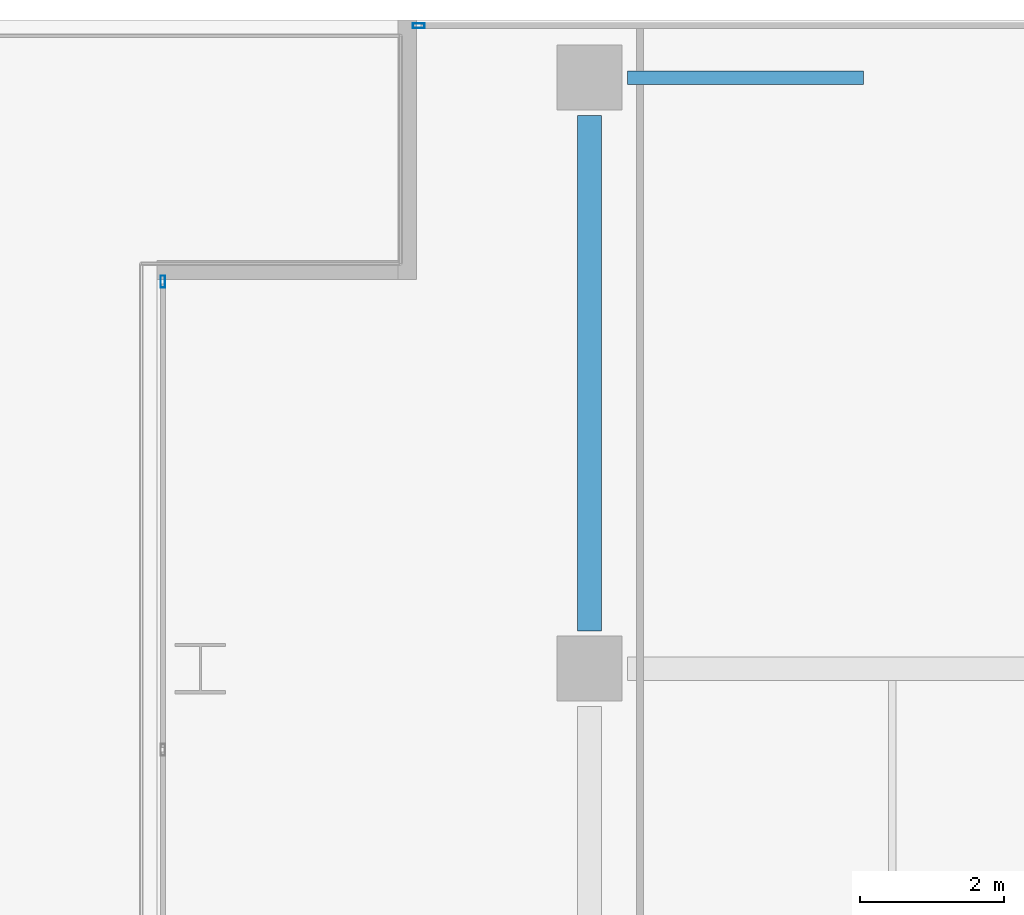
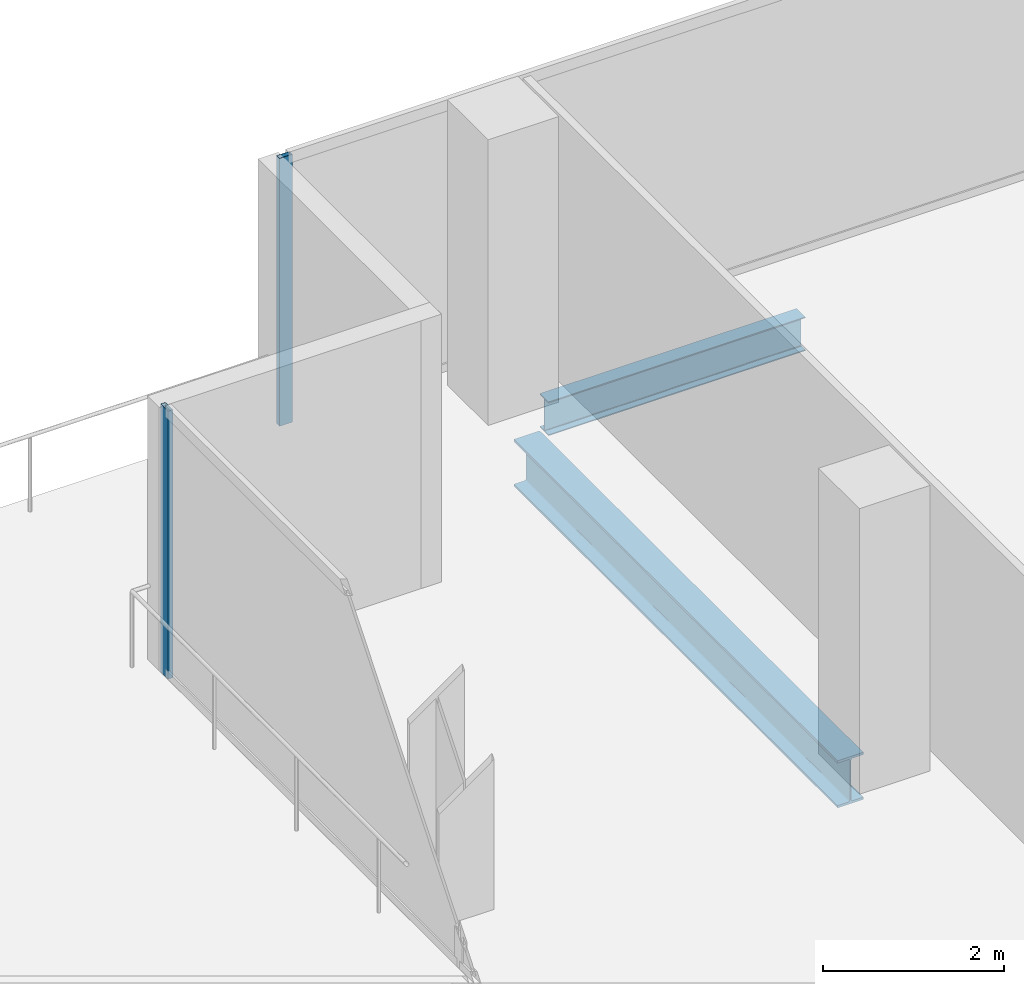
# One storey, part 14 of 31: 2 beams, 2 members, 2 elements without a shape of their own.
"""IFC4 building model written with IfcOpenShell, lengths in metres."""

from ifc_helpers import new_model, si_unit, direction, frame, origin, origin_2d, place, context, subcontext, project, spatial, hollow_rectangle, i_section, extrude, material, layer, layer_set, material_profile, profile_set, type_object, element, aggregate, save


model = new_model("IFC4")

# Units and contexts
model_context = context("Model", 3, precision=1e-05, world=origin(), true_north=direction((0.0, 1.0)))
body_context = subcontext(model_context, "Body", "Model", "MODEL_VIEW")
ifc_project = project(units=[si_unit("LENGTHUNIT", "METRE"), si_unit("AREAUNIT", "SQUARE_METRE"), si_unit("VOLUMEUNIT", "CUBIC_METRE"), si_unit("PLANEANGLEUNIT", "RADIAN"), si_unit("MASSUNIT", "GRAM", prefix="KILO")], contexts=[model_context])

# Site, building, storey
site_placement = place(None, origin())
site = spatial("IfcSite", under=ifc_project, at=site_placement, CompositionType="ELEMENT")
building_placement = place(site_placement, origin())
building = spatial("IfcBuilding", under=site, at=building_placement, Name="Maruvema Waterfront Hotel and Observation Tower", CompositionType="ELEMENT")
storey_placement = place(building_placement, frame((0.0, 0.0, 26.949951171875)))
storey = spatial("IfcBuildingStorey", under=building, at=storey_placement, Name="L05", CompositionType="ELEMENT", Elevation=26.949951171875)

# Curtain wall, member
ifc_material_1 = material(Name="Anodised bronze aluminium and solar-control low-E IGU", Category="aluminium")
ifc_layer = layer(ifc_material_1, 0.159912109375, Name="Zone 1 Bronze Inner Thermal Curtain Wall System CW-02")
ifc_layer_set = layer_set([ifc_layer], Name="Anodised bronze aluminium and solar-control low-E IGU")
curtain_wall_type = type_object("IfcCurtainWallType", Name="Zone 1 Bronze Inner Thermal Curtain Wall System CW-02", PredefinedType="USERDEFINED", material=ifc_layer_set)
curtain_wall_1_placement = place(storey_placement, origin())
curtain_wall_1 = element("IfcCurtainWall", 1, at=curtain_wall_1_placement, inside=storey, type_object=curtain_wall_type, Name="L05 Curtain Wall CW-L05-WN", ObjectType="UNITISED CURTAIN WALL", PredefinedType="USERDEFINED")
ifc_material_2 = material(Name="Anodised architectural bronze aluminium", Category="aluminium")
ifc_material_profile_1 = material_profile(ifc_material_2, hollow_rectangle(XDim=0.06494140625, YDim=0.1650390625, WallThickness=0.00390625, at=origin_2d()), Name="ALU-M65x165")
ifc_profile_set_1 = profile_set([ifc_material_profile_1], Name="Anodised architectural bronze aluminium")
member_type = type_object("IfcMemberType", Name="Curtain Wall Primary Mullion ALU-M65x165", PredefinedType="MULLION", material=ifc_profile_set_1)
member_1_placement = place(storey_placement, frame((10.8798828125, 50.3701171875, 0.0), z_axis=(0.0, 0.0, 1.0), x_axis=(1.0, 0.0, 0.0)))
member_1 = element("IfcMember", 2, at=member_1_placement, type_object=member_type, Name="CW-02 mullion 1", PredefinedType="MULLION", context=body_context, shape_type="SweptSolid", body=[
    extrude(hollow_rectangle(XDim=0.06494140625, YDim=0.1650390625, WallThickness=0.00390625, at=origin_2d()), origin(), (0.0, 0.0, 1.0), 3.610107421875),
])
aggregate(curtain_wall_1, [member_1])

curtain_wall_2_placement = place(storey_placement, origin())
curtain_wall_2 = element("IfcCurtainWall", 3, at=curtain_wall_2_placement, inside=storey, type_object=curtain_wall_type, Name="L05 Curtain Wall CW-L05-NW", ObjectType="UNITISED CURTAIN WALL", PredefinedType="USERDEFINED")
member_2_placement = place(storey_placement, frame((14.429931640625, 53.919921875, 0.0), z_axis=(0.0, 0.0, 1.0), x_axis=(0.0, -1.0, 0.0)))
member_2 = element("IfcMember", 4, at=member_2_placement, type_object=member_type, Name="CW-02 mullion 2", PredefinedType="MULLION", context=body_context, shape_type="SweptSolid", body=[
    extrude(hollow_rectangle(XDim=0.06494140625, YDim=0.1650390625, WallThickness=0.00390625, at=origin_2d()), origin(), (0.0, 0.0, 1.0), 3.610107421875),
])
aggregate(curtain_wall_2, [member_2])

# Beams
ifc_material_3 = material(Name="Steel ASTM A572 Grade 50", Category="steel")
ifc_material_profile_2 = material_profile(ifc_material_3, i_section(OverallWidth=0.18994140625, OverallDepth=0.45703125, WebThickness=0.009033203125, FlangeThickness=0.014404296875, FilletRadius=0.014892578125, at=origin_2d()), Name="W460x74.0")
ifc_profile_set_2 = profile_set([ifc_material_profile_2], Name="Steel ASTM A572 Grade 50")
beam_type_1 = type_object("IfcBeamType", Name="Perimeter Spandrel Beam W460x74.0", PredefinedType="SPANDREL", material=ifc_profile_set_2)
beam_1_placement = place(storey_placement, frame((17.324951171875, 53.199951171875, -0.468505859375), z_axis=(1.0, 0.0, 0.0), x_axis=(0.0, 1.0, 0.0)))
element("IfcBeam", 5, at=beam_1_placement, inside=storey, type_object=beam_type_1, Name="L05 Floor Girder EW-22", PredefinedType="SPANDREL", context=body_context, shape_type="SweptSolid", body=[
    extrude(i_section(OverallWidth=0.18994140625, OverallDepth=0.45703125, WebThickness=0.009033203125, FlangeThickness=0.014404296875, FilletRadius=0.014892578125, at=origin_2d()), origin(), (0.0, 0.0, 1.0), 3.275146484375),
])
ifc_material_4 = material(Name="Steel ASTM A572 Grade 50", Category="steel")
ifc_material_profile_3 = material_profile(ifc_material_4, i_section(OverallWidth=0.3291015625, OverallDepth=0.635009765625, WebThickness=0.017822265625, FlangeThickness=0.031005859375, FilletRadius=0.01806640625, at=origin_2d()), Name="W610x241.0")
ifc_profile_set_3 = profile_set([ifc_material_profile_3], Name="Steel ASTM A572 Grade 50")
beam_type_2 = type_object("IfcBeamType", Name="Primary Floor Girder W610x241.0", PredefinedType="BEAM", material=ifc_profile_set_3)
beam_2_placement = place(storey_placement, frame((16.800048828125, 45.52490234375, -0.557373046875), z_axis=(0.0, 1.0, 0.0), x_axis=(-1.0, 0.0, 0.0)))
element("IfcBeam", 6, at=beam_2_placement, inside=storey, type_object=beam_type_2, Name="L05 Floor Girder NS-06", PredefinedType="BEAM", context=body_context, shape_type="SweptSolid", body=[
    extrude(i_section(OverallWidth=0.3291015625, OverallDepth=0.635009765625, WebThickness=0.017822265625, FlangeThickness=0.031005859375, FilletRadius=0.01806640625, at=origin_2d()), origin(), (0.0, 0.0, 1.0), 7.150146484375),
])

save(model, "model.ifc")
